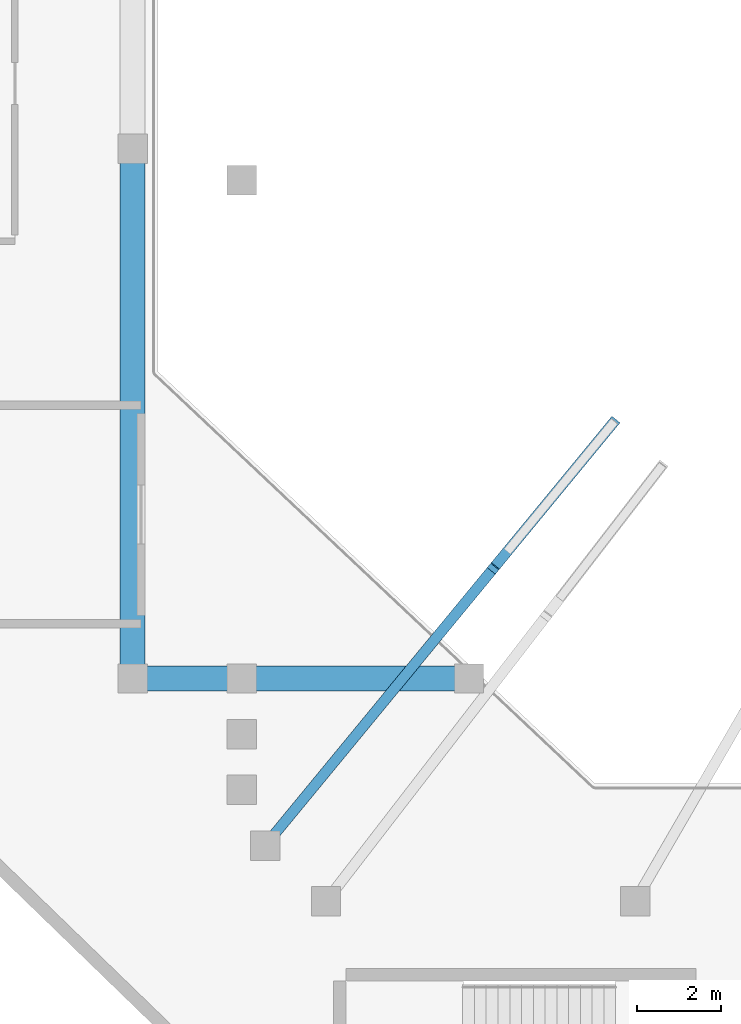
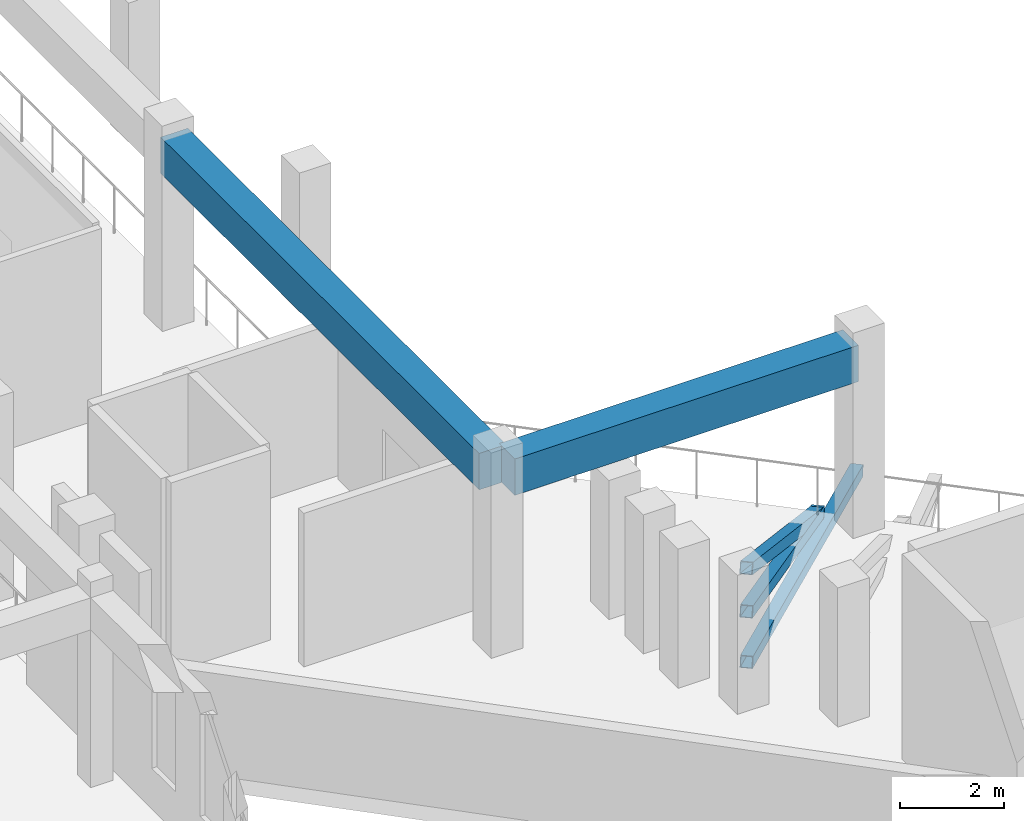
# One storey, part 11 of 79: 3 members, 2 beams.
"""IFC4 building model written with IfcOpenShell, lengths in metres."""

from ifc_helpers import new_model, si_unit, derived_unit, direction, frame, origin, origin_2d, place, context, subcontext, project, spatial, rectangle, hollow_rectangle, extrude, material, material_profile, profile_set, type_object, element, save


model = new_model("IFC4")

# Units and contexts
model_context = context("Model", 3, precision=1e-05, world=origin(), true_north=direction((0.0, 1.0)))
body_context = subcontext(model_context, "Body", "Model", "MODEL_VIEW")
ifc_project = project(units=[si_unit("LENGTHUNIT", "METRE"), si_unit("AREAUNIT", "SQUARE_METRE"), si_unit("VOLUMEUNIT", "CUBIC_METRE"), si_unit("PLANEANGLEUNIT", "RADIAN"), si_unit("MASSUNIT", "GRAM", prefix="KILO"), derived_unit("THERMALTRANSMITTANCEUNIT", [(si_unit("MASSUNIT", "GRAM", prefix="KILO"), 1), (si_unit("TIMEUNIT", "SECOND"), -3), (si_unit("THERMODYNAMICTEMPERATUREUNIT", "KELVIN"), -1)])], contexts=[model_context])

# Site, building, storey
site_placement = place(None, origin())
site = spatial("IfcSite", under=ifc_project, at=site_placement, CompositionType="ELEMENT")
building_placement = place(site_placement, origin())
building = spatial("IfcBuilding", under=site, at=building_placement, Name="Valcora Ridge Arena", CompositionType="ELEMENT")
storey_placement = place(building_placement, frame((0.0, 0.0, 16.199951171875)))
storey = spatial("IfcBuildingStorey", under=building, at=storey_placement, Name="L03", CompositionType="ELEMENT", Elevation=16.199951171875)

# Beams
ifc_material_1 = material(Name="Concrete C40/50", Category="concrete")
ifc_material_profile_1 = material_profile(ifc_material_1, rectangle(XDim=0.60009765625, YDim=0.85009765625, at=origin_2d()), Name="RC 600x850")
ifc_profile_set_1 = profile_set([ifc_material_profile_1], Name="Concrete C40/50")
beam_type_1 = type_object("IfcBeamType", Name="TY-BEAM-B-RC600-Y", PredefinedType="BEAM", material=ifc_profile_set_1)
beam_1_placement = place(storey_placement, frame((24.0, 32.800048828125, 4.01513671875), z_axis=(0.0, 1.0, 0.0), x_axis=(-1.0, 0.0, 0.0)))
element("IfcBeam", 1, at=beam_1_placement, inside=storey, type_object=beam_type_1, Name="B-RC600-Y BEM-B-RC600-Y-0021", PredefinedType="BEAM", context=body_context, shape_type="SweptSolid", body=[
    extrude(rectangle(XDim=0.60009765625, YDim=0.85009765625, at=origin_2d()), origin(), (0.0, 0.0, 1.0), 12.199951171875),
])
ifc_material_profile_2 = material_profile(ifc_material_1, rectangle(XDim=0.60009765625, YDim=0.85009765625, at=origin_2d()), Name="RC 600x850")
ifc_profile_set_2 = profile_set([ifc_material_profile_2], Name="Concrete C40/50")
beam_type_2 = type_object("IfcBeamType", Name="TY-BEAM-EB-RC600", PredefinedType="BEAM", material=ifc_profile_set_2)
beam_2_placement = place(storey_placement, frame((24.199951171875, 32.60009765625, 4.01513671875), z_axis=(1.0, 0.0, 0.0), x_axis=(0.0, 1.0, 0.0)))
element("IfcBeam", 2, at=beam_2_placement, inside=storey, type_object=beam_type_2, Name="EB-RC600 BEM-EB-RC600-0033", PredefinedType="BEAM", context=body_context, shape_type="SweptSolid", body=[
    extrude(rectangle(XDim=0.60009765625, YDim=0.85009765625, at=origin_2d()), origin(), (0.0, 0.0, 1.0), 7.60009765625),
])

# Members
ifc_material_2 = material(Name="Steel ASTM A500 Grade C", Category="steel")
ifc_material_profile_3 = material_profile(ifc_material_2, hollow_rectangle(XDim=0.25, YDim=0.25, WallThickness=0.012451171875, at=origin_2d()), Name="HSS250X250X12")
ifc_profile_set_3 = profile_set([ifc_material_profile_3], Name="Steel ASTM A500 Grade C")
member_type_1 = type_object("IfcMemberType", Name="TY-MEMBER-RKRUC-250", PredefinedType="CHORD", material=ifc_profile_set_3)
member_1_placement = place(storey_placement, frame((35.470703125, 38.728515625, -3.661865234375), z_axis=(-0.601706857874, -0.730640180269, 0.322666676562), x_axis=(0.771928586933, -0.635709254829, 0.0)))
element("IfcMember", 3, at=member_1_placement, inside=storey, type_object=member_type_1, Name="RKRUC-250 MBR-RK-RKRUC-250-0022", PredefinedType="CHORD", context=body_context, shape_type="SweptSolid", body=[
    extrude(hollow_rectangle(XDim=0.25, YDim=0.25, WallThickness=0.012451171875, at=origin_2d()), origin(), (0.0, 0.0, 1.0), 13.54833984375),
])
ifc_material_profile_4 = material_profile(ifc_material_2, hollow_rectangle(XDim=0.25, YDim=0.25, WallThickness=0.012451171875, at=origin_2d()), Name="HSS250X250X12")
ifc_profile_set_4 = profile_set([ifc_material_profile_4], Name="Steel ASTM A500 Grade C")
member_type_2 = type_object("IfcMemberType", Name="TY-MEMBER-RKRUC-251", PredefinedType="CHORD", material=ifc_profile_set_4)
member_2_placement = place(storey_placement, frame((32.593017578125, 35.234375, -1.51806640625), z_axis=(-0.560885395954, -0.681056620406, 0.470711644647), x_axis=(0.771921760299, -0.635717544179, 0.0)))
element("IfcMember", 4, at=member_2_placement, inside=storey, type_object=member_type_2, Name="RKRUC-251 MBR-RK-RKRUC-251-0022", PredefinedType="CHORD", context=body_context, shape_type="SweptSolid", body=[
    extrude(hollow_rectangle(XDim=0.25, YDim=0.25, WallThickness=0.012451171875, at=origin_2d()), origin(), (0.0, 0.0, 1.0), 9.424560546875),
])
ifc_material_profile_5 = material_profile(ifc_material_2, hollow_rectangle(XDim=0.25, YDim=0.25, WallThickness=0.012451171875, at=origin_2d()), Name="HSS250X250X12")
ifc_profile_set_5 = profile_set([ifc_material_profile_5], Name="Steel ASTM A500 Grade C")
member_type_3 = type_object("IfcMemberType", Name="TY-MEMBER-RKRUT-250", PredefinedType="BRACE", material=ifc_profile_set_5)
member_3_placement = place(storey_placement, frame((32.585205078125, 35.224853515625, -1.494140625), z_axis=(-0.588475354708, -0.714549957058, 0.378305585169), x_axis=(0.771918334879, -0.635721703482, 0.0)))
element("IfcMember", 5, at=member_3_placement, inside=storey, type_object=member_type_3, Name="RKRUT-250 Raker Tie Brace", PredefinedType="BRACE", context=body_context, shape_type="SweptSolid", body=[
    extrude(hollow_rectangle(XDim=0.25, YDim=0.25, WallThickness=0.012451171875, at=origin_2d()), origin(), (0.0, 0.0, 1.0), 8.956298828125),
])

save(model, "model.ifc")
